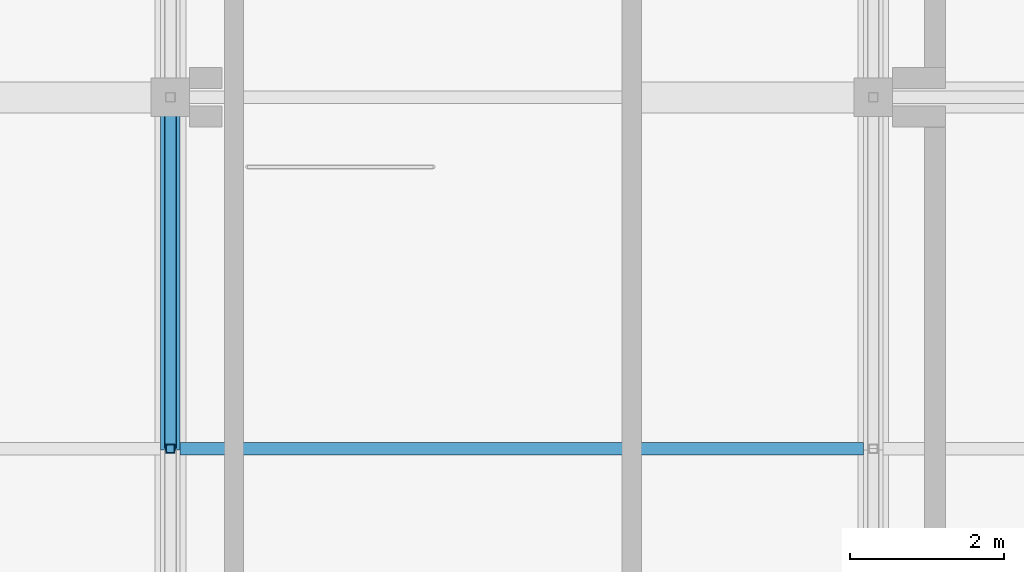
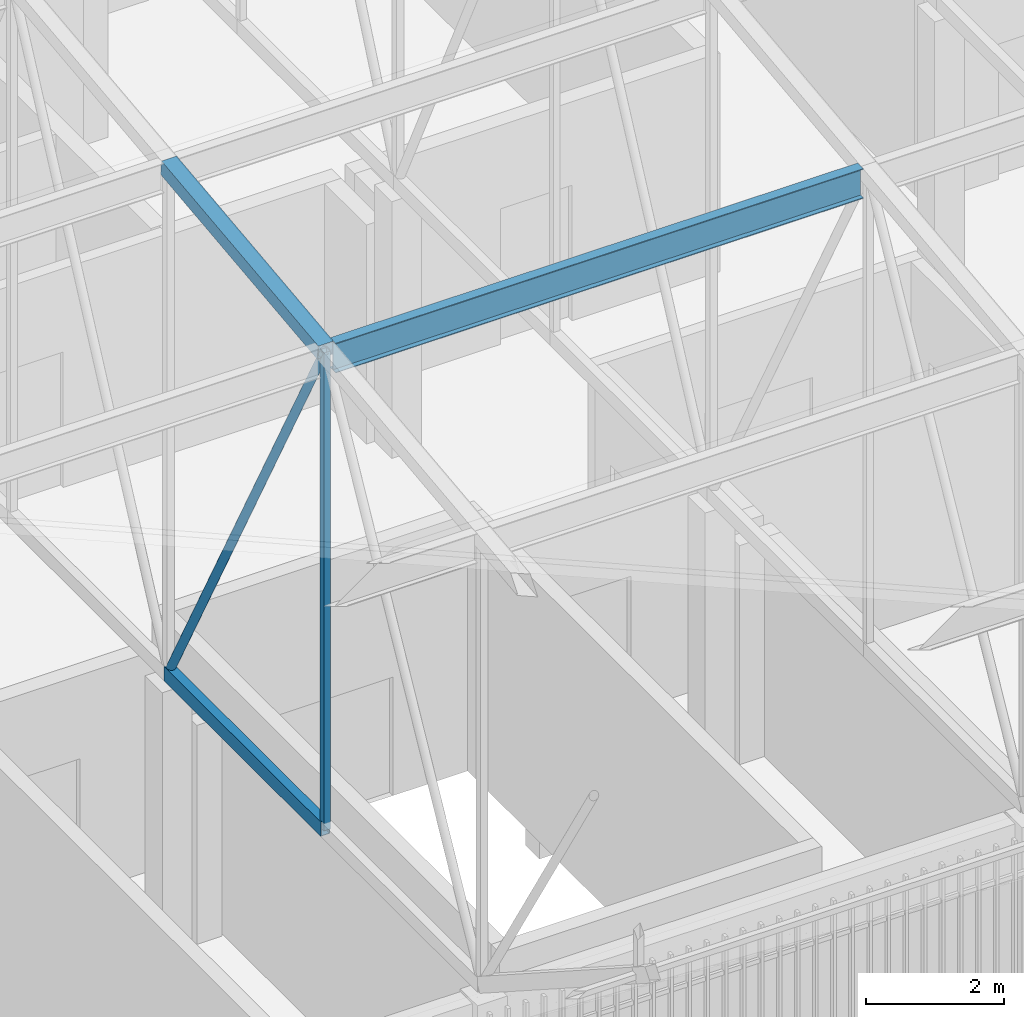
# One storey, part 12 of 500: 5 members.
"""IFC4 building model written with IfcOpenShell, lengths in metres."""

import ifcopenshell
import ifcopenshell.guid

model = None  # the IFC model being written
_history = None  # IfcOwnerHistory: only IFC2X3 demands one
_inside = {}  # id of a spatial element -> (the spatial element, [elements in it])
_under = {}  # id of a project, library or spatial element -> (it, [spatial elements below it])
_declared = {}  # id of a project -> (the project, [libraries it declares])
_typed = {}  # id of a type object -> (the type object, [elements of that type])
_made_of = {}  # id of a material, layer set ... -> (it, [elements and type objects made of it])


def new_model(schema):
    """Start an empty IFC model of exactly this schema.

    Asked for "IFC4X3", IfcOpenShell would pick the latest addendum, in which some entities
    have other attributes; the version numbers below select the first issue.
    IFC2X3 requires an IfcOwnerHistory on every rooted entity: one is made here for all.
    """
    global model, _history
    if schema == "IFC4X3":
        model = ifcopenshell.file(schema_version=(4, 3, 0, 0))
    else:
        model = ifcopenshell.file(schema=schema)
    _inside.clear()
    _under.clear()
    _declared.clear()
    _typed.clear()
    _made_of.clear()
    _history = None
    if model.schema == "IFC2X3":
        org = make("IfcOrganization", Name="unknown")
        user = make(
            "IfcPersonAndOrganization",
            ThePerson=make("IfcPerson", FamilyName="unknown"),
            TheOrganization=org,
        )
        app = make(
            "IfcApplication",
            ApplicationDeveloper=org,
            Version="unknown",
            ApplicationFullName="unknown",
            ApplicationIdentifier="unknown",
        )
        _history = make(
            "IfcOwnerHistory",
            OwningUser=user,
            OwningApplication=app,
            ChangeAction="ADDED",
            CreationDate=0,
        )
    return model


def make(cls, **values):
    """One entity of the class cls with the attributes given. An attribute that is None is left unset."""
    return model.create_entity(
        cls, **{name: value for name, value in values.items() if value is not None}
    )


def rooted(cls, **values):
    """An entity with a GlobalId (a new one), such as an element, a storey or a relation."""
    return make(cls, GlobalId=ifcopenshell.guid.new(), OwnerHistory=_history, **values)


def si_unit(unit_type, name, prefix=None):
    """IfcSIUnit, for example si_unit("LENGTHUNIT", "METRE", prefix="MILLI")."""
    return make("IfcSIUnit", UnitType=unit_type, Prefix=prefix, Name=name)


def assignment(units):
    """IfcUnitAssignment: the units of a project."""
    return None if units is None else make("IfcUnitAssignment", Units=units)


def point(xyz):
    """IfcCartesianPoint."""
    return None if xyz is None else make("IfcCartesianPoint", Coordinates=xyz)


def direction(xyz):
    """IfcDirection."""
    return None if xyz is None else make("IfcDirection", DirectionRatios=xyz)


def frame(location, z_axis=None, x_axis=None):
    """IfcAxis2Placement3D, a coordinate frame: its origin and axes. An axis left out is left unset."""
    return make(
        "IfcAxis2Placement3D",
        Location=point(location),
        Axis=direction(z_axis),
        RefDirection=direction(x_axis),
    )


def frame_2d(location, x_axis=None):
    """IfcAxis2Placement2D, a coordinate frame in the plane: its origin and x axis."""
    return make(
        "IfcAxis2Placement2D", Location=point(location), RefDirection=direction(x_axis)
    )


def origin():
    """The frame at (0, 0, 0) with its axes left unset."""
    return frame((0.0, 0.0, 0.0))


def origin_2d():
    """The frame at (0, 0) in the plane with its x axis left unset."""
    return frame_2d((0.0, 0.0))


def place(relative_to, where):
    """IfcLocalPlacement: puts the frame where relative to a parent placement (None: the world)."""
    return make(
        "IfcLocalPlacement", PlacementRelTo=relative_to, RelativePlacement=where
    )


def context(
    kind, dimensions, precision=None, world=None, true_north=None, identifier=None
):
    """IfcGeometricRepresentationContext, for example the 3D "Model" context."""
    return make(
        "IfcGeometricRepresentationContext",
        ContextIdentifier=identifier,
        ContextType=kind,
        CoordinateSpaceDimension=dimensions,
        Precision=precision,
        WorldCoordinateSystem=world,
        TrueNorth=true_north,
    )


def subcontext(parent, identifier, kind, view, scale=None):
    """IfcGeometricRepresentationSubContext, for example "Body" below "Model"."""
    return make(
        "IfcGeometricRepresentationSubContext",
        ContextIdentifier=identifier,
        ContextType=kind,
        ParentContext=parent,
        TargetScale=scale,
        TargetView=view,
    )


def project(units=None, contexts=None):
    """IfcProject with its units and contexts."""
    return rooted(
        "IfcProject",
        Name="project",
        RepresentationContexts=contexts,
        UnitsInContext=assignment(units),
    )


def spatial(cls, under=None, at=None, **own):
    """A site, building, storey or space (cls), placed at a placement, below another one or the project."""
    s = rooted(cls, ObjectPlacement=at, **own)
    if under is not None:
        _under.setdefault(under.id(), (under, []))[1].append(s)
    return s


def profile(cls, at=None, kind="AREA", **sizes):
    """A parametric profile (cls). Its sizes go by their IFC names, for example OverallWidth=200.0."""
    return make(cls, ProfileType=kind, Position=at, **sizes)


def hollow_rectangle(**sizes):
    """IfcRectangleHollowProfileDef."""
    return profile("IfcRectangleHollowProfileDef", **sizes)


def hollow_circle(**sizes):
    """IfcCircleHollowProfileDef."""
    return profile("IfcCircleHollowProfileDef", **sizes)


def i_section(**sizes):
    """IfcIShapeProfileDef."""
    return profile("IfcIShapeProfileDef", **sizes)


def extrude(swept, where, along, depth):
    """IfcExtrudedAreaSolid: the profile swept, set in the frame where, extruded along a direction by depth."""
    return make(
        "IfcExtrudedAreaSolid",
        SweptArea=swept,
        Position=where,
        ExtrudedDirection=direction(along),
        Depth=depth,
    )


def shape(context_of_items, identifier, shape_type, items):
    """IfcShapeRepresentation: the items that make up one representation, for example the "Body"."""
    return make(
        "IfcShapeRepresentation",
        ContextOfItems=context_of_items,
        RepresentationIdentifier=identifier,
        RepresentationType=shape_type,
        Items=items,
    )


def material(Name=None, Category=None):
    """IfcMaterial."""
    return make("IfcMaterial", Name=Name, Category=Category)


def material_profile(
    of_material, cross_section, Name=None, Category=None, Priority=None
):
    """IfcMaterialProfile: a cross section and its material."""
    return make(
        "IfcMaterialProfile",
        Name=Name,
        Material=of_material,
        Profile=cross_section,
        Priority=Priority,
        Category=Category,
    )


def profile_set(profiles, Name=None, composite=None):
    """IfcMaterialProfileSet."""
    return make(
        "IfcMaterialProfileSet",
        Name=Name,
        MaterialProfiles=profiles,
        CompositeProfile=composite,
    )


def made_of(thing, what):
    """Note that an element or type object is made of a material, layer set ...; save() writes the relation."""
    if what is not None:
        _made_of.setdefault(what.id(), (what, []))[1].append(thing)
    return thing


def type_object(cls, material=None, **own):
    """A type object (cls), such as IfcWallType, which elements share."""
    return made_of(rooted(cls, **own), material)


def element(
    cls,
    number,
    at=None,
    inside=None,
    cuts=None,
    type_object=None,
    material=None,
    context=None,
    identifier="Body",
    shape_type=None,
    held_by="IfcProductDefinitionShape",
    body=None,
    shapes=None,
    **own,
):
    """One element of the class cls, such as IfcWall. Its Tag is "e" and its number.

    at: its placement. inside: the storey or other place that contains it. cuts: it is an
    opening in that element (IfcRelVoidsElement). A single representation is given by context,
    identifier, shape_type and body (its items); several are given by shapes. held_by: the class
    of the entity that holds the representations. save() writes the other relations.
    """
    e = rooted(cls, Tag="e%d" % number, ObjectPlacement=at, **own)
    if body is not None:
        shapes = [shape(context, identifier, shape_type, body)]
    if shapes is not None:
        e.Representation = make(held_by, Representations=shapes)
    if inside is not None:
        _inside.setdefault(inside.id(), (inside, []))[1].append(e)
    if cuts is not None:
        rooted(
            "IfcRelVoidsElement", RelatingBuildingElement=cuts, RelatedOpeningElement=e
        )
    if type_object is not None:
        _typed.setdefault(type_object.id(), (type_object, []))[1].append(e)
    return made_of(e, material)


def aggregate(whole, parts):
    """IfcRelAggregates: a whole, such as a stair, and the parts it consists of."""
    return rooted("IfcRelAggregates", RelatingObject=whole, RelatedObjects=parts)


def save(model, path):
    """Write the relations noted so far, then the file.

    IfcRelAggregates (storeys below a building ...), IfcRelContainedInSpatialStructure (elements
    in a storey), IfcRelDefinesByType, IfcRelAssociatesMaterial and IfcRelDeclares: one each for
    every whole, place, type object, material and project.
    """
    for whole, parts in _under.values():
        aggregate(whole, parts)
    for where, things in _inside.values():
        rooted(
            "IfcRelContainedInSpatialStructure",
            RelatedElements=things,
            RelatingStructure=where,
        )
    for kind, things in _typed.values():
        rooted("IfcRelDefinesByType", RelatedObjects=things, RelatingType=kind)
    for what, things in _made_of.values():
        rooted("IfcRelAssociatesMaterial", RelatedObjects=things, RelatingMaterial=what)
    for by, libraries in _declared.values():
        rooted("IfcRelDeclares", RelatingContext=by, RelatedDefinitions=libraries)
    model.write(path)


model = new_model("IFC4")

# Units and contexts
model_context = context("Model", 3, precision=1e-05, world=origin(), true_north=direction((0.0, 1.0)))
body_context = subcontext(model_context, "Body", "Model", "MODEL_VIEW")
ifc_project = project(units=[si_unit("LENGTHUNIT", "METRE"), si_unit("AREAUNIT", "SQUARE_METRE"), si_unit("VOLUMEUNIT", "CUBIC_METRE"), si_unit("PLANEANGLEUNIT", "RADIAN"), si_unit("MASSUNIT", "GRAM", prefix="KILO")], contexts=[model_context])

# Site, building, storey
site_placement = place(None, origin())
site = spatial("IfcSite", under=ifc_project, at=site_placement, CompositionType="ELEMENT")
building_placement = place(site_placement, origin())
building = spatial("IfcBuilding", under=site, at=building_placement, Name="Shirokan Park Arena", CompositionType="ELEMENT")
storey_placement = place(building_placement, frame((0.0, 0.0, 29.1201171875)))
storey = spatial("IfcBuildingStorey", under=building, at=storey_placement, Name="L06", CompositionType="ELEMENT", Elevation=29.1201171875)

# Members
ifc_material_1 = material(Name="Steel ASTM A500 Grade C", Category="steel")
ifc_material_profile_1 = material_profile(ifc_material_1, hollow_rectangle(XDim=0.152099609375, YDim=0.25390625, WallThickness=0.009521484375, at=origin_2d()), Name="HSS254X152.4X9.5")
ifc_profile_set_1 = profile_set([ifc_material_profile_1], Name="Steel ASTM A500 Grade C")
member_type_1 = type_object("IfcMemberType", Name="Bottom chord HSS254X152.4X9.5", PredefinedType="CHORD", material=ifc_profile_set_1)
member_1_placement = place(storey_placement, frame((18.199951171875, 4.550048828125, 4.677001953125), z_axis=(0.0, 1.0, 0.0), x_axis=(-1.0, 0.0, 0.0)))
element("IfcMember", 1, at=member_1_placement, inside=storey, type_object=member_type_1, Name="Truss T03 bottom chord 4", PredefinedType="CHORD", context=body_context, shape_type="SweptSolid", body=[
    extrude(hollow_rectangle(XDim=0.152099609375, YDim=0.25390625, WallThickness=0.009521484375, at=origin_2d()), origin(), (0.0, 0.0, 1.0), 4.550048828125),
])
ifc_material_2 = material(Name="Steel ASTM A992", Category="steel")
ifc_material_profile_2 = material_profile(ifc_material_2, i_section(OverallWidth=0.166015625, OverallDepth=0.528076171875, WebThickness=0.009765625, FlangeThickness=0.013671875, at=origin_2d()), Name="W530X74")
ifc_profile_set_2 = profile_set([ifc_material_profile_2], Name="Steel ASTM A992")
member_type_2 = type_object("IfcMemberType", Name="Purlin W530X74", PredefinedType="PURLIN", material=ifc_profile_set_2)
member_2_placement = place(storey_placement, frame((18.326904296875, 4.550048828125, 13.005859375), z_axis=(1.0, 0.0, 0.0), x_axis=(0.0, 1.0, 0.0)))
element("IfcMember", 2, at=member_2_placement, inside=storey, type_object=member_type_2, Name="Purlin 4 bay 3", PredefinedType="PURLIN", context=body_context, shape_type="SweptSolid", body=[
    extrude(i_section(OverallWidth=0.166015625, OverallDepth=0.528076171875, WebThickness=0.009765625, FlangeThickness=0.013671875, at=origin_2d()), origin(), (0.0, 0.0, 1.0), 8.84619140625),
])
ifc_material_profile_3 = material_profile(ifc_material_1, hollow_rectangle(XDim=0.25390625, YDim=0.25390625, WallThickness=0.009521484375, at=origin_2d()), Name="HSS254X254X9.5")
ifc_profile_set_3 = profile_set([ifc_material_profile_3], Name="Steel ASTM A500 Grade C")
member_type_3 = type_object("IfcMemberType", Name="Top chord HSS254X254X9.5", PredefinedType="CHORD", material=ifc_profile_set_3)
member_3_placement = place(storey_placement, frame((18.199951171875, 4.550048828125, 13.142822265625), z_axis=(0.0, 0.993532328996, 0.113549598152), x_axis=(-1.0, 0.0, 0.0)))
element("IfcMember", 3, at=member_3_placement, inside=storey, type_object=member_type_3, Name="Truss T03 top chord 4", PredefinedType="CHORD", context=body_context, shape_type="SweptSolid", body=[
    extrude(hollow_rectangle(XDim=0.25390625, YDim=0.25390625, WallThickness=0.009521484375, at=origin_2d()), origin(), (0.0, 0.0, 1.0), 4.57958984375),
])
ifc_material_profile_4 = material_profile(ifc_material_1, hollow_circle(Radius=0.070556640625, WallThickness=0.006591796875, at=origin_2d()), Name="HSS141.3X6.6")
ifc_profile_set_4 = profile_set([ifc_material_profile_4], Name="Steel ASTM A500 Grade C")
member_type_4 = type_object("IfcMemberType", Name="Truss diagonal HSS141.3X6.6", PredefinedType="BRACE", material=ifc_profile_set_4)
member_4_placement = place(storey_placement, frame((18.199951171875, 4.550048828125, 13.142822265625), z_axis=(0.0, 0.473416507165, -0.880838697347), x_axis=(-1.0, 0.0, 0.0)))
element("IfcMember", 4, at=member_4_placement, inside=storey, type_object=member_type_4, Name="Truss T03 diagonal 4", PredefinedType="BRACE", context=body_context, shape_type="SweptSolid", body=[
    extrude(hollow_circle(Radius=0.070556640625, WallThickness=0.006591796875, at=origin_2d()), origin(), (0.0, 0.0, 1.0), 9.611083984375),
])
ifc_material_profile_5 = material_profile(ifc_material_1, hollow_rectangle(XDim=0.114013671875, YDim=0.114013671875, WallThickness=0.00634765625, at=origin_2d()), Name="HSS114.3X114.3X6.4")
ifc_profile_set_5 = profile_set([ifc_material_profile_5], Name="Steel ASTM A500 Grade C")
member_type_5 = type_object("IfcMemberType", Name="Truss post HSS114.3X114.3X6.4", PredefinedType="POST", material=ifc_profile_set_5)
member_5_placement = place(storey_placement, frame((18.199951171875, 4.550048828125, 4.677001953125), z_axis=(0.0, 0.0, 1.0), x_axis=(1.0, 0.0, 0.0)))
element("IfcMember", 5, at=member_5_placement, inside=storey, type_object=member_type_5, Name="Truss T03 post 4", PredefinedType="POST", context=body_context, shape_type="SweptSolid", body=[
    extrude(hollow_rectangle(XDim=0.114013671875, YDim=0.114013671875, WallThickness=0.00634765625, at=origin_2d()), origin(), (0.0, 0.0, 1.0), 8.4658203125),
])

save(model, "model.ifc")
